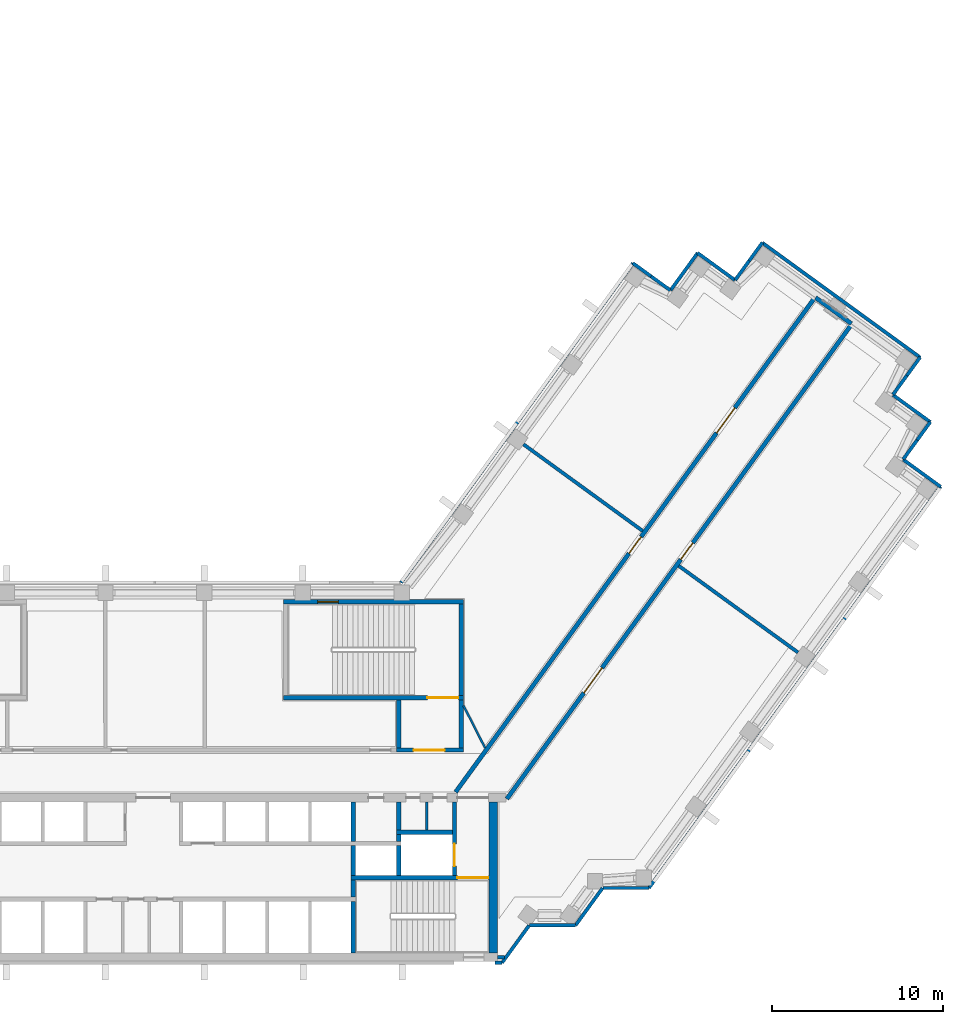
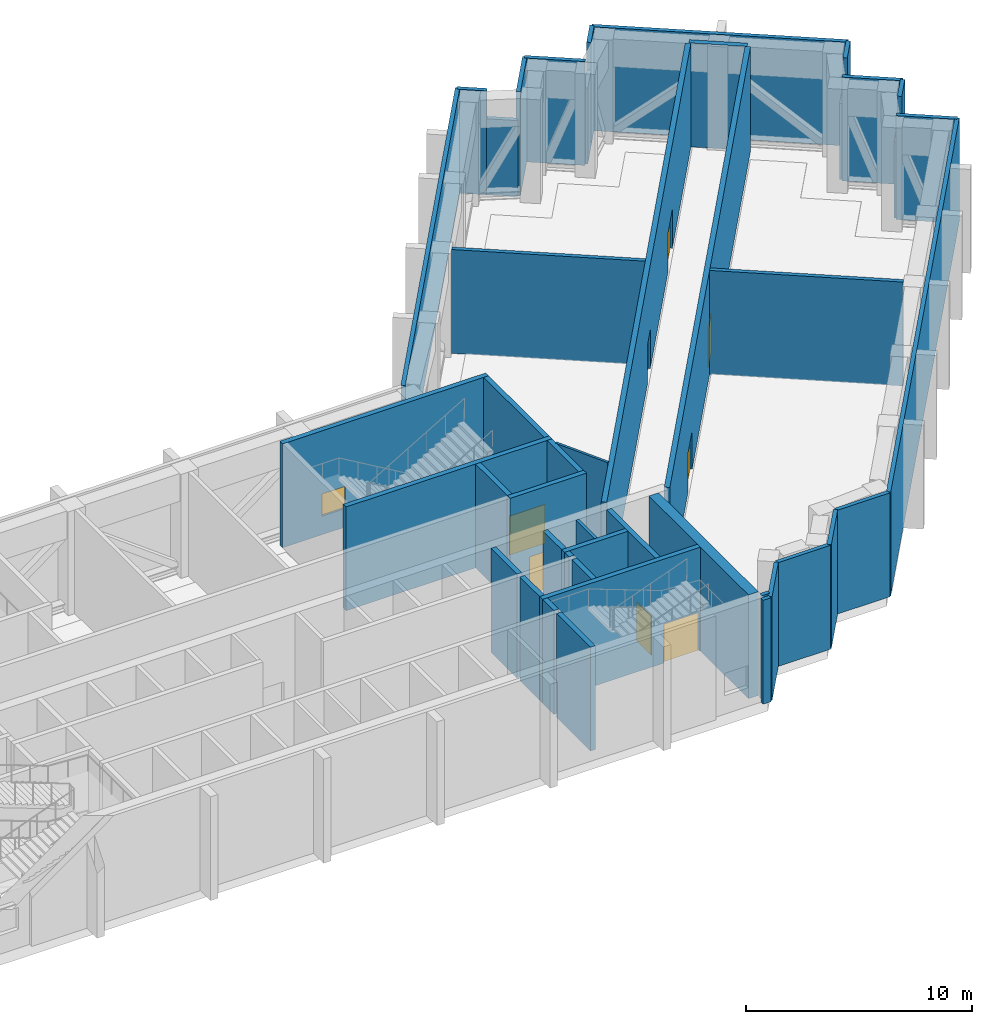
# One storey, part 12 of 16: 45 walls, 8 doors, 1 window, 9 openings.
"""IFC4 building model written with IfcOpenShell, lengths in metres."""

from ifc_helpers import new_model, si_unit, direction, frame, frame_2d, origin, place, context, subcontext, project, spatial, rectangle, extrude, material, layer, layer_set, type_object, element, fill, save


model = new_model("IFC4")

# Units and contexts
model_context = context("Model", 3, precision=1e-05, world=origin(), true_north=direction((0.0, 1.0)))
body_context = subcontext(model_context, "Body", "Model", "MODEL_VIEW")
ifc_project = project(units=[si_unit("LENGTHUNIT", "METRE"), si_unit("AREAUNIT", "SQUARE_METRE"), si_unit("VOLUMEUNIT", "CUBIC_METRE"), si_unit("PLANEANGLEUNIT", "RADIAN"), si_unit("MASSUNIT", "GRAM", prefix="KILO")], contexts=[model_context])

# Site, building, storey
site_placement = place(None, origin())
site = spatial("IfcSite", under=ifc_project, at=site_placement, CompositionType="ELEMENT")
building_placement = place(site_placement, origin())
building = spatial("IfcBuilding", under=site, at=building_placement, Name="Quipu Civic Tower", CompositionType="ELEMENT")
storey_placement = place(building_placement, frame((0.0, 0.0, 133.0)))
storey = spatial("IfcBuildingStorey", under=building, at=storey_placement, Name="L31", CompositionType="ELEMENT", Elevation=133.0)

# Walls
ifc_material_1 = material(Name="Fired clay blockwork", Category="masonry")
ifc_layer_1 = layer(ifc_material_1, 0.199951171875)
ifc_layer_set_1 = layer_set([ifc_layer_1], Name="Fired clay blockwork")
wall_type_1 = type_object("IfcWallType", Name="Blockwork wall 200", PredefinedType="SOLIDWALL", material=ifc_layer_set_1)
wall_1_placement = place(storey_placement, frame((28.457275390625, 14.10791015625, 0.0), z_axis=(0.0, 0.0, 1.0), x_axis=(-0.808985356091, 0.58782879619, 0.0)))
element("IfcWall", 1, at=wall_1_placement, inside=storey, type_object=wall_type_1, Name="Partition P01", PredefinedType="SOLIDWALL", context=body_context, shape_type="SweptSolid", body=[
    extrude(rectangle(XDim=8.59521484375, YDim=0.199951171875, at=frame_2d((4.297607421875, 0.0))), origin(), (0.0, 0.0, 1.0), 5.60009765625),
])
wall_2_placement = place(storey_placement, frame((37.51611328125, 7.01953125, 0.0), z_axis=(0.0, 0.0, 1.0), x_axis=(-0.808979233367, 0.58783722235, 0.0)))
element("IfcWall", 2, at=wall_2_placement, inside=storey, type_object=wall_type_1, Name="Partition P03", PredefinedType="SOLIDWALL", context=body_context, shape_type="SweptSolid", body=[
    extrude(rectangle(XDim=8.5947265625, YDim=0.199951171875, at=frame_2d((4.29736328125, 0.0))), origin(), (0.0, 0.0, 1.0), 5.60009765625),
])
ifc_material_2 = material(Name="Concrete C70/85", Category="concrete")
ifc_layer_2 = layer(ifc_material_2, 0.25)
ifc_layer_set_2 = layer_set([ifc_layer_2], Name="Concrete C70/85")
wall_type_2 = type_object("IfcWallType", Name="Core wall 250", PredefinedType="SHEAR", material=ifc_layer_set_2)
wall_3_placement = place(storey_placement, frame((11.574951171875, -10.5, 0.0), z_axis=(0.0, 0.0, 1.0), x_axis=(0.0, 1.0, 0.0)))
element("IfcWall", 3, at=wall_3_placement, inside=storey, type_object=wall_type_2, Name="Core wall", PredefinedType="SHEAR", context=body_context, shape_type="SweptSolid", body=[
    extrude(rectangle(XDim=3.0, YDim=0.25, at=frame_2d((1.5, 0.0))), origin(), (0.0, 0.0, 1.0), 5.60009765625),
])
wall_4_placement = place(storey_placement, frame((11.574951171875, -7.25, 0.0), z_axis=(0.0, 0.0, 1.0), x_axis=(0.0, 1.0, 0.0)))
element("IfcWall", 4, at=wall_4_placement, inside=storey, type_object=wall_type_2, Name="Core wall", PredefinedType="SHEAR", context=body_context, shape_type="SweptSolid", body=[
    extrude(rectangle(XDim=1.0, YDim=0.25, at=frame_2d((0.5, 0.0))), origin(), (0.0, 0.0, 1.0), 5.60009765625),
])

# Wall, opening, door
wall_5_placement = place(storey_placement, frame((19.5, -6.125, 0.0), z_axis=(0.0, 0.0, 1.0), x_axis=(-1.0, 0.0, 0.0)))
wall_5 = element("IfcWall", 5, at=wall_5_placement, inside=storey, type_object=wall_type_2, Name="Core wall", PredefinedType="SHEAR", context=body_context, shape_type="SweptSolid", body=[
    extrude(rectangle(XDim=8.050048828125, YDim=0.25, at=frame_2d((4.02490234375, 0.0))), origin(), (0.0, 0.0, 1.0), 5.60009765625),
])
opening_1_placement = place(wall_5_placement, frame((0.050048828125, 0.0, 0.0)))
opening_1 = element("IfcOpeningElement", 6, at=opening_1_placement, cuts=wall_5, Name="Opening CD-05", PredefinedType="OPENING", context=body_context, shape_type="SweptSolid", body=[
    extrude(rectangle(XDim=1.800048828125, YDim=2.10009765625, at=frame_2d((0.89990234375, 1.050048828125))), frame((0.0, 0.135009765625, 0.0), z_axis=(0.0, -1.0, 0.0), x_axis=(1.0, 0.0, 0.0)), (0.0, 0.0, 1.0), 0.27001953125),
])
ifc_material_3 = material(Name="Fire rated steel door", Category="steel")
door_type_1 = type_object("IfcDoorType", Name="Fire door FD90 double 1800 x 2100", OperationType="NOTDEFINED", PredefinedType="DOOR", material=ifc_material_3)
door_1_placement = place(opening_1_placement, origin())
door_1 = element("IfcDoor", 7, at=door_1_placement, inside=storey, type_object=door_type_1, Name="Door", OperationType="DOUBLE_DOOR_SINGLE_SWING", OverallHeight=2.10009765625, OverallWidth=1.800048828125, PredefinedType="DOOR", context=body_context, shape_type="SweptSolid", body=[
    extrude(rectangle(XDim=1.800048828125, YDim=2.10009765625, at=frame_2d((0.89990234375, 1.050048828125))), frame((0.0, 0.02490234375, 0.0), z_axis=(0.0, -1.0, 0.0), x_axis=(1.0, 0.0, 0.0)), (0.0, 0.0, 1.0), 0.050048828125),
])
fill(opening_1, door_1)

# Walls
for number, where, z_axis, x_axis, name in (
    (8, (11.574951171875, -6.0, 0.0), (0.0, 0.0, 1.0), (0.0, 1.0, 0.0), "Core wall"),
    (9, (14.22509765625, -6.0, 0.0), (0.0, 0.0, 1.0), (0.0, 1.0, 0.0), "Core wall"),
):
    element("IfcWall", number, at=place(storey_placement, frame(where, z_axis=z_axis, x_axis=x_axis)), inside=storey, type_object=wall_type_2, Name=name, PredefinedType="SHEAR", context=body_context, shape_type="SweptSolid", body=[
        extrude(rectangle(XDim=1.75, YDim=0.25, at=frame_2d((0.875, 0.0))), origin(), (0.0, 0.0, 1.0), 5.60009765625),
    ])

# Wall, opening, door
wall_6_placement = place(storey_placement, frame((17.47509765625, -6.0, 0.0), z_axis=(0.0, 0.0, 1.0), x_axis=(0.0, 1.0, 0.0)))
wall_6 = element("IfcWall", 10, at=wall_6_placement, inside=storey, type_object=wall_type_2, Name="Core wall", PredefinedType="SHEAR", context=body_context, shape_type="SweptSolid", body=[
    extrude(rectangle(XDim=4.300048828125, YDim=0.25, at=frame_2d((2.14990234375, 0.0))), origin(), (0.0, 0.0, 1.0), 5.60009765625),
])
opening_2_placement = place(wall_6_placement, frame((0.550048828125, 0.0, 0.0)))
opening_2 = element("IfcOpeningElement", 11, at=opening_2_placement, cuts=wall_6, Name="Opening LD-FF2", PredefinedType="OPENING", context=body_context, shape_type="SweptSolid", body=[
    extrude(rectangle(XDim=1.300048828125, YDim=2.10009765625, at=frame_2d((0.64990234375, 1.050048828125))), frame((0.0, 0.135009765625, 0.0), z_axis=(0.0, -1.0, 0.0), x_axis=(1.0, 0.0, 0.0)), (0.0, 0.0, 1.0), 0.27001953125),
])
ifc_material_4 = material(Name="Stainless steel", Category="steel")
door_type_2 = type_object("IfcDoorType", Name="Lift landing door 1300 x 2100", OperationType="DOUBLE_DOOR_SLIDING", PredefinedType="DOOR", material=ifc_material_4)
door_2_placement = place(opening_2_placement, origin())
door_2 = element("IfcDoor", 12, at=door_2_placement, inside=storey, type_object=door_type_2, Name="Landing door FF2", OperationType="DOUBLE_DOOR_SLIDING", OverallHeight=2.10009765625, OverallWidth=1.300048828125, PredefinedType="DOOR", context=body_context, shape_type="SweptSolid", body=[
    extrude(rectangle(XDim=1.300048828125, YDim=2.10009765625, at=frame_2d((0.64990234375, 1.050048828125))), frame((0.0, 0.02490234375, 0.0), z_axis=(0.0, -1.0, 0.0), x_axis=(1.0, 0.0, 0.0)), (0.0, 0.0, 1.0), 0.050048828125),
])
fill(opening_2, door_2)

# Walls
wall_7_placement = place(storey_placement, frame((11.574951171875, -4.0, 0.0), z_axis=(0.0, 0.0, 1.0), x_axis=(0.0, 1.0, 0.0)))
element("IfcWall", 13, at=wall_7_placement, inside=storey, type_object=wall_type_2, Name="Core wall", PredefinedType="SHEAR", context=body_context, shape_type="SweptSolid", body=[
    extrude(rectangle(XDim=2.300048828125, YDim=0.25, at=frame_2d((1.14990234375, 0.0))), origin(), (0.0, 0.0, 1.0), 5.60009765625),
])
wall_8_placement = place(storey_placement, frame((14.22509765625, -4.0, 0.0), z_axis=(0.0, 0.0, 1.0), x_axis=(0.0, 1.0, 0.0)))
element("IfcWall", 14, at=wall_8_placement, inside=storey, type_object=wall_type_2, Name="Core wall", PredefinedType="SHEAR", context=body_context, shape_type="SweptSolid", body=[
    extrude(rectangle(XDim=0.39990234375, YDim=0.25, at=frame_2d((0.199951171875, 0.0))), origin(), (0.0, 0.0, 1.0), 5.60009765625),
])
wall_9_placement = place(storey_placement, frame((14.10009765625, -3.47509765625, 0.0), z_axis=(0.0, 0.0, 1.0), x_axis=(1.0, 0.0, 0.0)))
element("IfcWall", 15, at=wall_9_placement, inside=storey, type_object=wall_type_2, Name="Core wall", PredefinedType="SHEAR", context=body_context, shape_type="SweptSolid", body=[
    extrude(rectangle(XDim=3.25, YDim=0.25, at=frame_2d((1.625, 0.0))), origin(), (0.0, 0.0, 1.0), 5.60009765625),
])
wall_10_placement = place(storey_placement, frame((14.22509765625, -3.35009765625, 0.0), z_axis=(0.0, 0.0, 1.0), x_axis=(0.0, 1.0, 0.0)))
element("IfcWall", 16, at=wall_10_placement, inside=storey, type_object=wall_type_2, Name="Core wall", PredefinedType="SHEAR", context=body_context, shape_type="SweptSolid", body=[
    extrude(rectangle(XDim=1.650146484375, YDim=0.25, at=frame_2d((0.8251953125, 0.0))), origin(), (0.0, 0.0, 1.0), 5.60009765625),
])

# Wall, opening, door
wall_11_placement = place(storey_placement, frame((14.10009765625, 1.324951171875, 0.0), z_axis=(0.0, 0.0, 1.0), x_axis=(1.0, 0.0, 0.0)))
wall_11 = element("IfcWall", 17, at=wall_11_placement, inside=storey, type_object=wall_type_2, Name="Core wall", PredefinedType="SHEAR", context=body_context, shape_type="SweptSolid", body=[
    extrude(rectangle(XDim=3.89990234375, YDim=0.25, at=frame_2d((1.949951171875, 0.0))), origin(), (0.0, 0.0, 1.0), 5.60009765625),
])
opening_3_placement = place(wall_11_placement, frame((1.0, 0.0, 0.0)))
opening_3 = element("IfcOpeningElement", 18, at=opening_3_placement, cuts=wall_11, Name="Opening CD-17", PredefinedType="OPENING", context=body_context, shape_type="SweptSolid", body=[
    extrude(rectangle(XDim=1.800048828125, YDim=2.10009765625, at=frame_2d((0.89990234375, 1.050048828125))), frame((0.0, 0.135009765625, 0.0), z_axis=(0.0, -1.0, 0.0), x_axis=(1.0, 0.0, 0.0)), (0.0, 0.0, 1.0), 0.27001953125),
])
door_3_placement = place(opening_3_placement, origin())
door_3 = element("IfcDoor", 19, at=door_3_placement, inside=storey, type_object=door_type_1, Name="Lobby door", OperationType="DOUBLE_DOOR_SINGLE_SWING", OverallHeight=2.10009765625, OverallWidth=1.800048828125, PredefinedType="DOOR", context=body_context, shape_type="SweptSolid", body=[
    extrude(rectangle(XDim=1.800048828125, YDim=2.10009765625, at=frame_2d((0.89990234375, 1.050048828125))), frame((0.0, 0.02490234375, 0.0), z_axis=(0.0, -1.0, 0.0), x_axis=(1.0, 0.0, 0.0)), (0.0, 0.0, 1.0), 0.050048828125),
])
fill(opening_3, door_3)

# Walls
for number, where, z_axis, x_axis, name in (
    (20, (14.22509765625, 1.449951171875, 0.0), (0.0, 0.0, 1.0), (0.0, 1.0, 0.0), "Core wall"),
    (21, (17.875, 1.449951171875, 0.0), (0.0, 0.0, 1.0), (0.0, 1.0, 0.0), "Core wall"),
):
    element("IfcWall", number, at=place(storey_placement, frame(where, z_axis=z_axis, x_axis=x_axis)), inside=storey, type_object=wall_type_2, Name=name, PredefinedType="SHEAR", context=body_context, shape_type="SweptSolid", body=[
        extrude(rectangle(XDim=2.800048828125, YDim=0.25, at=frame_2d((1.39990234375, 0.0))), origin(), (0.0, 0.0, 1.0), 5.60009765625),
    ])

# Wall, opening, door
wall_12_placement = place(storey_placement, frame((7.5, 4.375, 0.0), z_axis=(0.0, 0.0, 1.0), x_axis=(1.0, 0.0, 0.0)))
wall_12 = element("IfcWall", 22, at=wall_12_placement, inside=storey, type_object=wall_type_2, Name="Core wall", PredefinedType="SHEAR", context=body_context, shape_type="SweptSolid", body=[
    extrude(rectangle(XDim=10.5, YDim=0.25, at=frame_2d((5.25, 0.0))), origin(), (0.0, 0.0, 1.0), 5.60009765625),
])
opening_4_placement = place(wall_12_placement, frame((8.39990234375, 0.0, 0.0)))
opening_4 = element("IfcOpeningElement", 23, at=opening_4_placement, cuts=wall_12, Name="Opening CD-18", PredefinedType="OPENING", context=body_context, shape_type="SweptSolid", body=[
    extrude(rectangle(XDim=1.800048828125, YDim=2.10009765625, at=frame_2d((0.89990234375, 1.050048828125))), frame((0.0, 0.135009765625, 0.0), z_axis=(0.0, -1.0, 0.0), x_axis=(1.0, 0.0, 0.0)), (0.0, 0.0, 1.0), 0.27001953125),
])
door_4_placement = place(opening_4_placement, origin())
door_4 = element("IfcDoor", 24, at=door_4_placement, inside=storey, type_object=door_type_1, Name="Door", OperationType="DOUBLE_DOOR_SINGLE_SWING", OverallHeight=2.10009765625, OverallWidth=1.800048828125, PredefinedType="DOOR", context=body_context, shape_type="SweptSolid", body=[
    extrude(rectangle(XDim=1.800048828125, YDim=2.10009765625, at=frame_2d((0.89990234375, 1.050048828125))), frame((0.0, 0.02490234375, 0.0), z_axis=(0.0, -1.0, 0.0), x_axis=(1.0, 0.0, 0.0)), (0.0, 0.0, 1.0), 0.050048828125),
])
fill(opening_4, door_4)

# Wall
wall_13_placement = place(storey_placement, frame((17.875, 4.5, 0.0), z_axis=(0.0, 0.0, 1.0), x_axis=(0.0, 1.0, 0.0)))
element("IfcWall", 25, at=wall_13_placement, inside=storey, type_object=wall_type_2, Name="Core wall", PredefinedType="SHEAR", context=body_context, shape_type="SweptSolid", body=[
    extrude(rectangle(XDim=5.35009765625, YDim=0.25, at=frame_2d((2.675048828125, 0.0))), origin(), (0.0, 0.0, 1.0), 5.60009765625),
])

# Wall, opening, window
wall_14_placement = place(storey_placement, frame((7.5, 9.97509765625, 0.0), z_axis=(0.0, 0.0, 1.0), x_axis=(1.0, 0.0, 0.0)))
wall_14 = element("IfcWall", 26, at=wall_14_placement, inside=storey, type_object=wall_type_2, Name="Core wall", PredefinedType="SHEAR", context=body_context, shape_type="SweptSolid", body=[
    extrude(rectangle(XDim=10.5, YDim=0.25, at=frame_2d((5.25, 0.0))), origin(), (0.0, 0.0, 1.0), 5.60009765625),
])
opening_5_placement = place(wall_14_placement, frame((2.0, 0.0, 1.0)))
opening_5 = element("IfcOpeningElement", 27, at=opening_5_placement, cuts=wall_14, Name="Opening SV-4", PredefinedType="OPENING", context=body_context, shape_type="SweptSolid", body=[
    extrude(rectangle(XDim=1.199951171875, YDim=1.199951171875, at=frame_2d((0.60009765625, 0.60009765625))), frame((0.0, 0.135009765625, 0.0), z_axis=(0.0, -1.0, 0.0), x_axis=(1.0, 0.0, 0.0)), (0.0, 0.0, 1.0), 0.27001953125),
])
ifc_material_5 = material(Name="Aluminium louvre", Category="aluminium")
window_type = type_object("IfcWindowType", Name="Stair ventilation louvre 1200 x 1200", PartitioningType="SINGLE_PANEL", PredefinedType="WINDOW", material=ifc_material_5)
window_placement = place(opening_5_placement, origin())
window = element("IfcWindow", 28, at=window_placement, inside=storey, type_object=window_type, Name="Stair ventilation opening", OverallHeight=1.199951171875, OverallWidth=1.199951171875, PartitioningType="SINGLE_PANEL", PredefinedType="WINDOW", context=body_context, shape_type="SweptSolid", body=[
    extrude(rectangle(XDim=1.199951171875, YDim=1.199951171875, at=frame_2d((0.60009765625, 0.60009765625))), frame((0.0, 0.030029296875, 0.0), z_axis=(0.0, -1.0, 0.0), x_axis=(1.0, 0.0, 0.0)), (0.0, 0.0, 1.0), 0.06005859375),
])
fill(opening_5, window)

# Walls
ifc_material_6 = material(Name="Concrete C70/85", Category="concrete")
ifc_layer_3 = layer(ifc_material_6, 0.5)
ifc_layer_set_3 = layer_set([ifc_layer_3], Name="Concrete C70/85")
wall_type_3 = type_object("IfcWallType", Name="Core wall 500", PredefinedType="SHEAR", material=ifc_layer_set_3)
wall_15_placement = place(storey_placement, frame((19.75, -10.5, 0.0), z_axis=(0.0, 0.0, 1.0), x_axis=(0.0, 1.0, 0.0)))
element("IfcWall", 29, at=wall_15_placement, inside=storey, type_object=wall_type_3, Name="Core wall", PredefinedType="SHEAR", context=body_context, shape_type="SweptSolid", body=[
    extrude(rectangle(XDim=8.800048828125, YDim=0.5, at=frame_2d((4.39990234375, 0.0))), origin(), (0.0, 0.0, 1.0), 5.60009765625),
])
ifc_material_7 = material(Name="Concrete C50/60", Category="concrete")
ifc_layer_4 = layer(ifc_material_7, 0.25)
ifc_layer_set_4 = layer_set([ifc_layer_4], Name="Concrete C50/60")
wall_type_4 = type_object("IfcWallType", Name="Corridor wall 250 concrete", PredefinedType="SOLIDWALL", material=ifc_layer_set_4)
wall_16_placement = place(storey_placement, frame((38.543212890625, 27.719482421875, 0.0), z_axis=(0.0, 0.0, 1.0), x_axis=(0.809038456977, -0.58775571042, 0.0)))
element("IfcWall", 30, at=wall_16_placement, inside=storey, type_object=wall_type_4, Name="Corridor wall C01", PredefinedType="SOLIDWALL", context=body_context, shape_type="SweptSolid", body=[
    extrude(rectangle(XDim=2.582763671875, YDim=0.25, at=frame_2d((1.29150390625, 0.0))), origin(), (0.0, 0.0, 1.0), 5.60009765625),
])

# Wall, openings, doors
wall_17_placement = place(storey_placement, frame((40.584228515625, 26.07763671875, 0.0), z_axis=(0.0, 0.0, 1.0), x_axis=(-0.587782727964, -0.809018828401, 0.0)))
wall_17 = element("IfcWall", 31, at=wall_17_placement, inside=storey, type_object=wall_type_4, Name="Corridor wall C02", PredefinedType="SOLIDWALL", context=body_context, shape_type="SweptSolid", body=[
    extrude(rectangle(XDim=34.11669921875, YDim=0.25, at=frame_2d((17.058349609375, 0.0))), origin(), (0.0, 0.0, 1.0), 5.60009765625),
])
opening_6_placement = place(wall_17_placement, frame((24.667236328125, 0.0, 0.0)))
opening_6 = element("IfcOpeningElement", 32, at=opening_6_placement, cuts=wall_17, Name="Opening D003", PredefinedType="OPENING", context=body_context, shape_type="SweptSolid", body=[
    extrude(rectangle(XDim=1.800048828125, YDim=2.10009765625, at=frame_2d((0.89990234375, 1.050048828125))), frame((0.0, 0.135009765625, 0.0), z_axis=(0.0, -1.0, 0.0), x_axis=(1.0, 0.0, 0.0)), (0.0, 0.0, 1.0), 0.27001953125),
])
opening_7_placement = place(wall_17_placement, frame((15.65087890625, 0.0, 0.0)))
opening_7 = element("IfcOpeningElement", 33, at=opening_7_placement, cuts=wall_17, Name="Opening D004", PredefinedType="OPENING", context=body_context, shape_type="SweptSolid", body=[
    extrude(rectangle(XDim=1.199951171875, YDim=2.10009765625, at=frame_2d((0.60009765625, 1.050048828125))), frame((0.0, 0.135009765625, 0.0), z_axis=(0.0, -1.0, 0.0), x_axis=(1.0, 0.0, 0.0)), (0.0, 0.0, 1.0), 0.27001953125),
])
ifc_material_8 = material(Name="Fire rated timber door set with metal frame", Category="wood")
door_type_3 = type_object("IfcDoorType", Name="Double door 1800 x 2100 FD60", OperationType="DOUBLE_DOOR_SINGLE_SWING", PredefinedType="DOOR", material=ifc_material_8)
door_5_placement = place(opening_6_placement, origin())
door_5 = element("IfcDoor", 34, at=door_5_placement, inside=storey, type_object=door_type_3, Name="Door D003", OperationType="DOUBLE_DOOR_SINGLE_SWING", OverallHeight=2.10009765625, OverallWidth=1.800048828125, PredefinedType="DOOR", context=body_context, shape_type="SweptSolid", body=[
    extrude(rectangle(XDim=1.800048828125, YDim=2.10009765625, at=frame_2d((0.89990234375, 1.050048828125))), frame((0.0, 0.02490234375, 0.0), z_axis=(0.0, -1.0, 0.0), x_axis=(1.0, 0.0, 0.0)), (0.0, 0.0, 1.0), 0.050048828125),
])
fill(opening_6, door_5)
ifc_material_9 = material(Name="Fire rated timber door set with metal frame", Category="wood")
door_type_4 = type_object("IfcDoorType", Name="Single door 1200 x 2100 FD60", OperationType="NOTDEFINED", PredefinedType="DOOR", material=ifc_material_9)
door_6_placement = place(opening_7_placement, origin())
door_6 = element("IfcDoor", 35, at=door_6_placement, inside=storey, type_object=door_type_4, Name="Door D004", OperationType="SINGLE_SWING_RIGHT", OverallHeight=2.10009765625, OverallWidth=1.199951171875, PredefinedType="DOOR", context=body_context, shape_type="SweptSolid", body=[
    extrude(rectangle(XDim=1.199951171875, YDim=2.10009765625, at=frame_2d((0.60009765625, 1.050048828125))), frame((0.0, 0.02490234375, 0.0), z_axis=(0.0, -1.0, 0.0), x_axis=(1.0, 0.0, 0.0)), (0.0, 0.0, 1.0), 0.050048828125),
])
fill(opening_7, door_6)

wall_18_placement = place(storey_placement, frame((17.544921875, -1.124755859375, 0.0), z_axis=(0.0, 0.0, 1.0), x_axis=(0.587787785895, 0.809015153599, 0.0)))
wall_18 = element("IfcWall", 36, at=wall_18_placement, inside=storey, type_object=wall_type_4, Name="Corridor wall C07", PredefinedType="SOLIDWALL", context=body_context, shape_type="SweptSolid", body=[
    extrude(rectangle(XDim=35.54931640625, YDim=0.25, at=frame_2d((17.774658203125, 0.0))), origin(), (0.0, 0.0, 1.0), 5.60009765625),
])
opening_8_placement = place(wall_18_placement, frame((17.207275390625, 0.0, 0.0)))
opening_8 = element("IfcOpeningElement", 37, at=opening_8_placement, cuts=wall_18, Name="Opening D001", PredefinedType="OPENING", context=body_context, shape_type="SweptSolid", body=[
    extrude(rectangle(XDim=1.199951171875, YDim=2.10009765625, at=frame_2d((0.60009765625, 1.050048828125))), frame((0.0, 0.135009765625, 0.0), z_axis=(0.0, -1.0, 0.0), x_axis=(1.0, 0.0, 0.0)), (0.0, 0.0, 1.0), 0.27001953125),
])
opening_9_placement = place(wall_18_placement, frame((25.90576171875, 0.0, 0.0)))
opening_9 = element("IfcOpeningElement", 38, at=opening_9_placement, cuts=wall_18, Name="Opening D002", PredefinedType="OPENING", context=body_context, shape_type="SweptSolid", body=[
    extrude(rectangle(XDim=1.800048828125, YDim=2.10009765625, at=frame_2d((0.89990234375, 1.050048828125))), frame((0.0, 0.135009765625, 0.0), z_axis=(0.0, -1.0, 0.0), x_axis=(1.0, 0.0, 0.0)), (0.0, 0.0, 1.0), 0.27001953125),
])
door_7_placement = place(opening_9_placement, origin())
door_7 = element("IfcDoor", 39, at=door_7_placement, inside=storey, type_object=door_type_3, Name="Door D002", OperationType="DOUBLE_DOOR_SINGLE_SWING", OverallHeight=2.10009765625, OverallWidth=1.800048828125, PredefinedType="DOOR", context=body_context, shape_type="SweptSolid", body=[
    extrude(rectangle(XDim=1.800048828125, YDim=2.10009765625, at=frame_2d((0.89990234375, 1.050048828125))), frame((0.0, 0.02490234375, 0.0), z_axis=(0.0, -1.0, 0.0), x_axis=(1.0, 0.0, 0.0)), (0.0, 0.0, 1.0), 0.050048828125),
])
fill(opening_9, door_7)
door_8_placement = place(opening_8_placement, origin())
door_8 = element("IfcDoor", 40, at=door_8_placement, inside=storey, type_object=door_type_4, Name="Door D001", OperationType="SINGLE_SWING_RIGHT", OverallHeight=2.10009765625, OverallWidth=1.199951171875, PredefinedType="DOOR", context=body_context, shape_type="SweptSolid", body=[
    extrude(rectangle(XDim=1.199951171875, YDim=2.10009765625, at=frame_2d((0.60009765625, 1.050048828125))), frame((0.0, 0.02490234375, 0.0), z_axis=(0.0, -1.0, 0.0), x_axis=(1.0, 0.0, 0.0)), (0.0, 0.0, 1.0), 0.050048828125),
])
fill(opening_8, door_8)

# Walls
ifc_material_10 = material(Name="Gypsum plasterboard on light gauge framing")
ifc_layer_5 = layer(ifc_material_10, 0.1201171875)
ifc_layer_set_5 = layer_set([ifc_layer_5], Name="Gypsum plasterboard on light gauge framing")
wall_type_5 = type_object("IfcWallType", Name="Partition 120 plasterboard", PredefinedType="PARTITIONING", material=ifc_layer_set_5)
wall_19_placement = place(storey_placement, frame((18.0, 3.925048828125, 0.0), z_axis=(0.0, 0.0, 1.0), x_axis=(0.453950796792, -0.891026752736, 0.0)))
element("IfcWall", 41, at=wall_19_placement, inside=storey, type_object=wall_type_5, Name="Partition P08", PredefinedType="PARTITIONING", context=body_context, shape_type="SweptSolid", body=[
    extrude(rectangle(XDim=2.77783203125, YDim=0.1201171875, at=frame_2d((1.388916015625, 0.0))), origin(), (0.0, 0.0, 1.0), 5.60009765625),
])
ifc_material_11 = material(Name="Gypsum board partition")
ifc_layer_6 = layer(ifc_material_11, 0.14990234375)
ifc_layer_set_6 = layer_set([ifc_layer_6], Name="Gypsum board partition")
wall_type_6 = type_object("IfcWallType", Name="Partition 150", PredefinedType="PARTITIONING", material=ifc_layer_set_6)
wall_20_placement = place(storey_placement, frame((15.85009765625, -3.35009765625, 0.0), z_axis=(0.0, 0.0, 1.0), x_axis=(0.0, 1.0, 0.0)))
element("IfcWall", 42, at=wall_20_placement, inside=storey, type_object=wall_type_6, Name="Partition", PredefinedType="PARTITIONING", context=body_context, shape_type="SweptSolid", body=[
    extrude(rectangle(XDim=1.650146484375, YDim=0.14990234375, at=frame_2d((0.8251953125, 0.0))), origin(), (0.0, 0.0, 1.0), 5.60009765625),
])
ifc_material_12 = material(Name="Precast concrete C40/50", Category="concrete")
wall_type_7 = type_object("IfcWallType", Name="Precast cladding wall", PredefinedType="SOLIDWALL", material=ifc_material_12)
wall_21_placement = place(storey_placement, frame((19.85009765625, -11.087890625, 0.0), z_axis=(0.0, 0.0, 1.0), x_axis=(1.0, 0.0, 0.0)))
element("IfcWall", 43, at=wall_21_placement, inside=storey, type_object=wall_type_7, Name="Precast cladding wall L31 20", PredefinedType="SOLIDWALL", context=body_context, shape_type="SweptSolid", body=[
    extrude(rectangle(XDim=0.40576171875, YDim=0.199951171875, at=frame_2d((0.202880859375, 0.0))), origin(), (0.0, 0.0, 1.0), 5.60009765625),
])
wall_22_placement = place(storey_placement, frame((20.253173828125, -11.083251953125, 0.0), z_axis=(0.0, 0.0, 1.0), x_axis=(0.587766567315, 0.809030569476, 0.0)))
element("IfcWall", 44, at=wall_22_placement, inside=storey, type_object=wall_type_7, Name="Precast cladding wall L31 21", PredefinedType="SOLIDWALL", context=body_context, shape_type="SweptSolid", body=[
    extrude(rectangle(XDim=2.687744140625, YDim=0.199951171875, at=frame_2d((1.34375, 0.0))), origin(), (0.0, 0.0, 1.0), 5.60009765625),
])
wall_23_placement = place(storey_placement, frame((21.8427734375, -8.90380859375, 0.0), z_axis=(0.0, 0.0, 1.0), x_axis=(1.0, 0.0, 0.0)))
element("IfcWall", 45, at=wall_23_placement, inside=storey, type_object=wall_type_7, Name="Precast cladding wall L31 22", PredefinedType="SOLIDWALL", context=body_context, shape_type="SweptSolid", body=[
    extrude(rectangle(XDim=2.699951171875, YDim=0.199951171875, at=frame_2d((1.35009765625, 0.0))), origin(), (0.0, 0.0, 1.0), 5.60009765625),
])
wall_24_placement = place(storey_placement, frame((24.533203125, -8.90869140625, 0.0), z_axis=(0.0, 0.0, 1.0), x_axis=(0.587720002413, 0.809064397168, 0.0)))
element("IfcWall", 46, at=wall_24_placement, inside=storey, type_object=wall_type_7, Name="Precast cladding wall L31 23", PredefinedType="SOLIDWALL", context=body_context, shape_type="SweptSolid", body=[
    extrude(rectangle(XDim=2.7001953125, YDim=0.199951171875, at=frame_2d((1.35009765625, 0.0))), origin(), (0.0, 0.0, 1.0), 5.60009765625),
])
wall_25_placement = place(storey_placement, frame((26.1298828125, -6.71923828125, 0.0), z_axis=(0.0, 0.0, 1.0), x_axis=(1.0, 0.0, 0.0)))
element("IfcWall", 47, at=wall_25_placement, inside=storey, type_object=wall_type_7, Name="Precast cladding wall L31 24", PredefinedType="SOLIDWALL", context=body_context, shape_type="SweptSolid", body=[
    extrude(rectangle(XDim=2.699951171875, YDim=0.199951171875, at=frame_2d((1.35009765625, 0.0))), origin(), (0.0, 0.0, 1.0), 5.60009765625),
])
wall_26_placement = place(storey_placement, frame((28.820068359375, -6.72412109375, 0.0), z_axis=(0.0, 0.0, 1.0), x_axis=(0.587788110303, 0.809014917901, 0.0)))
element("IfcWall", 48, at=wall_26_placement, inside=storey, type_object=wall_type_7, Name="Precast cladding wall L31 25", PredefinedType="SOLIDWALL", context=body_context, shape_type="SweptSolid", body=[
    extrude(rectangle(XDim=28.95556640625, YDim=0.199951171875, at=frame_2d((14.477783203125, 0.0))), origin(), (0.0, 0.0, 1.0), 5.60009765625),
])
wall_27_placement = place(storey_placement, frame((45.84228515625, 16.6845703125, 0.0), z_axis=(0.0, 0.0, 1.0), x_axis=(-0.808958916286, 0.58786518162, 0.0)))
element("IfcWall", 49, at=wall_27_placement, inside=storey, type_object=wall_type_7, Name="Precast cladding wall L31 26", PredefinedType="SOLIDWALL", context=body_context, shape_type="SweptSolid", body=[
    extrude(rectangle(XDim=2.699951171875, YDim=0.199951171875, at=frame_2d((1.35009765625, 0.0))), origin(), (0.0, 0.0, 1.0), 5.60009765625),
])
wall_28_placement = place(storey_placement, frame((43.655517578125, 18.28857421875, 0.0), z_axis=(0.0, 0.0, 1.0), x_axis=(0.58786788786, 0.808956949672, 0.0)))
element("IfcWall", 50, at=wall_28_placement, inside=storey, type_object=wall_type_7, Name="Precast cladding wall L31 27", PredefinedType="SOLIDWALL", context=body_context, shape_type="SweptSolid", body=[
    extrude(rectangle(XDim=1.3857421875, YDim=0.199951171875, at=frame_2d((0.69287109375, 0.0))), origin(), (0.0, 0.0, 1.0), 4.10009765625),
])
wall_29_placement = place(storey_placement, frame((44.47021484375, 19.40966796875, 0.0), z_axis=(0.0, 0.0, 1.0), x_axis=(0.587652369972, 0.809113522361, 0.0)))
element("IfcWall", 51, at=wall_29_placement, inside=storey, type_object=wall_type_7, Name="Precast cladding wall L31 27 a", PredefinedType="SOLIDWALL", context=body_context, shape_type="SweptSolid", body=[
    extrude(rectangle(XDim=1.31396484375, YDim=0.199951171875, at=frame_2d((0.656982421875, 0.0))), origin(), (0.0, 0.0, 1.0), 5.60009765625),
])
wall_30_placement = place(storey_placement, frame((45.2451171875, 20.4560546875, 0.0), z_axis=(0.0, 0.0, 1.0), x_axis=(-0.809033161865, 0.587762999008, 0.0)))
element("IfcWall", 52, at=wall_30_placement, inside=storey, type_object=wall_type_7, Name="Precast cladding wall L31 28", PredefinedType="SOLIDWALL", context=body_context, shape_type="SweptSolid", body=[
    extrude(rectangle(XDim=2.699951171875, YDim=0.199951171875, at=frame_2d((1.35009765625, 0.0))), origin(), (0.0, 0.0, 1.0), 5.60009765625),
])
wall_31_placement = place(storey_placement, frame((43.05810546875, 22.059814453125, 0.0), z_axis=(0.0, 0.0, 1.0), x_axis=(0.587845576324, 0.808973162964, 0.0)))
element("IfcWall", 53, at=wall_31_placement, inside=storey, type_object=wall_type_7, Name="Precast cladding wall L31 29", PredefinedType="SOLIDWALL", context=body_context, shape_type="SweptSolid", body=[
    extrude(rectangle(XDim=1.380126953125, YDim=0.199951171875, at=frame_2d((0.68994140625, 0.0))), origin(), (0.0, 0.0, 1.0), 4.10009765625),
])
wall_32_placement = place(storey_placement, frame((43.869384765625, 23.17626953125, 0.0), z_axis=(0.0, 0.0, 1.0), x_axis=(0.587797718958, 0.809007936665, 0.0)))
element("IfcWall", 54, at=wall_32_placement, inside=storey, type_object=wall_type_7, Name="Precast cladding wall L31 29 a", PredefinedType="SOLIDWALL", context=body_context, shape_type="SweptSolid", body=[
    extrude(rectangle(XDim=1.320068359375, YDim=0.199951171875, at=frame_2d((0.66015625, 0.0))), origin(), (0.0, 0.0, 1.0), 5.60009765625),
])
wall_33_placement = place(storey_placement, frame((44.647705078125, 24.227294921875, 0.0), z_axis=(0.0, 0.0, 1.0), x_axis=(-0.809005491952, 0.587801083694, 0.0)))
element("IfcWall", 55, at=wall_33_placement, inside=storey, type_object=wall_type_7, Name="Precast cladding wall L31 30", PredefinedType="SOLIDWALL", context=body_context, shape_type="SweptSolid", body=[
    extrude(rectangle(XDim=11.39990234375, YDim=0.199951171875, at=frame_2d((5.699951171875, 0.0))), origin(), (0.0, 0.0, 1.0), 5.60009765625),
])
wall_34_placement = place(storey_placement, frame((35.44189453125, 30.930908203125, 0.0), z_axis=(0.0, 0.0, 1.0), x_axis=(-0.587707438817, -0.809073523457, 0.0)))
element("IfcWall", 56, at=wall_34_placement, inside=storey, type_object=wall_type_7, Name="Precast cladding wall L31 31", PredefinedType="SOLIDWALL", context=body_context, shape_type="SweptSolid", body=[
    extrude(rectangle(XDim=1.3134765625, YDim=0.199951171875, at=frame_2d((0.65673828125, 0.0))), origin(), (0.0, 0.0, 1.0), 5.60009765625),
])
wall_35_placement = place(storey_placement, frame((34.669921875, 29.8681640625, 0.0), z_axis=(0.0, 0.0, 1.0), x_axis=(-0.587847138415, -0.808972027858, 0.0)))
element("IfcWall", 57, at=wall_35_placement, inside=storey, type_object=wall_type_7, Name="Precast cladding wall L31 31 a", PredefinedType="SOLIDWALL", context=body_context, shape_type="SweptSolid", body=[
    extrude(rectangle(XDim=1.38671875, YDim=0.199951171875, at=frame_2d((0.693359375, 0.0))), origin(), (0.0, 0.0, 1.0), 4.10009765625),
])
for number, where, z_axis, x_axis, name in (
    (58, (33.837890625, 28.743896484375, 0.0), (0.0, 0.0, 1.0), (-0.809033161865, 0.587762999008, 0.0), "Precast cladding wall L31 32"),
    (59, (31.67041015625, 30.33349609375, 0.0), (0.0, 0.0, 1.0), (-0.587762999008, -0.809033161865, 0.0), "Precast cladding wall L31 33"),
):
    element("IfcWall", number, at=place(storey_placement, frame(where, z_axis=z_axis, x_axis=x_axis)), inside=storey, type_object=wall_type_7, Name=name, PredefinedType="SOLIDWALL", context=body_context, shape_type="SweptSolid", body=[
        extrude(rectangle(XDim=2.699951171875, YDim=0.199951171875, at=frame_2d((1.35009765625, 0.0))), origin(), (0.0, 0.0, 1.0), 5.60009765625),
    ])
wall_36_placement = place(storey_placement, frame((30.066650390625, 28.146484375, 0.0), z_axis=(0.0, 0.0, 1.0), x_axis=(-0.809003403559, 0.587803957991, 0.0)))
element("IfcWall", 60, at=wall_36_placement, inside=storey, type_object=wall_type_7, Name="Precast cladding wall L31 34", PredefinedType="SOLIDWALL", context=body_context, shape_type="SweptSolid", body=[
    extrude(rectangle(XDim=1.3818359375, YDim=0.199951171875, at=frame_2d((0.69091796875, 0.0))), origin(), (0.0, 0.0, 1.0), 4.10009765625),
])
wall_37_placement = place(storey_placement, frame((28.94873046875, 28.958740234375, 0.0), z_axis=(0.0, 0.0, 1.0), x_axis=(-0.809064357795, 0.587720056613, 0.0)))
element("IfcWall", 61, at=wall_37_placement, inside=storey, type_object=wall_type_7, Name="Precast cladding wall L31 34 a", PredefinedType="SOLIDWALL", context=body_context, shape_type="SweptSolid", body=[
    extrude(rectangle(XDim=1.318115234375, YDim=0.199951171875, at=frame_2d((0.6591796875, 0.0))), origin(), (0.0, 0.0, 1.0), 5.60009765625),
])
wall_38_placement = place(storey_placement, frame((27.899169921875, 29.736083984375, 0.0), z_axis=(0.0, 0.0, 1.0), x_axis=(-0.587790518608, -0.809013168147, 0.0)))
element("IfcWall", 62, at=wall_38_placement, inside=storey, type_object=wall_type_7, Name="Precast cladding wall L31 35", PredefinedType="SOLIDWALL", context=body_context, shape_type="SweptSolid", body=[
    extrude(rectangle(XDim=23.044189453125, YDim=0.199951171875, at=frame_2d((11.52197265625, 0.0))), origin(), (0.0, 0.0, 1.0), 5.60009765625),
])
wall_39_placement = place(storey_placement, frame((19.97998046875, -10.75, 0.0), z_axis=(0.0, 0.0, 1.0), x_axis=(1.0, 0.0, 0.0)))
element("IfcWall", 63, at=wall_39_placement, inside=storey, type_object=wall_type_7, Name="Precast cladding return L31 E", PredefinedType="SOLIDWALL", context=body_context, shape_type="SweptSolid", body=[
    extrude(rectangle(XDim=0.41650390625, YDim=0.199951171875, at=frame_2d((0.208251953125, 0.0))), origin(), (0.0, 0.0, 1.0), 5.60009765625),
])

save(model, "model.ifc")
